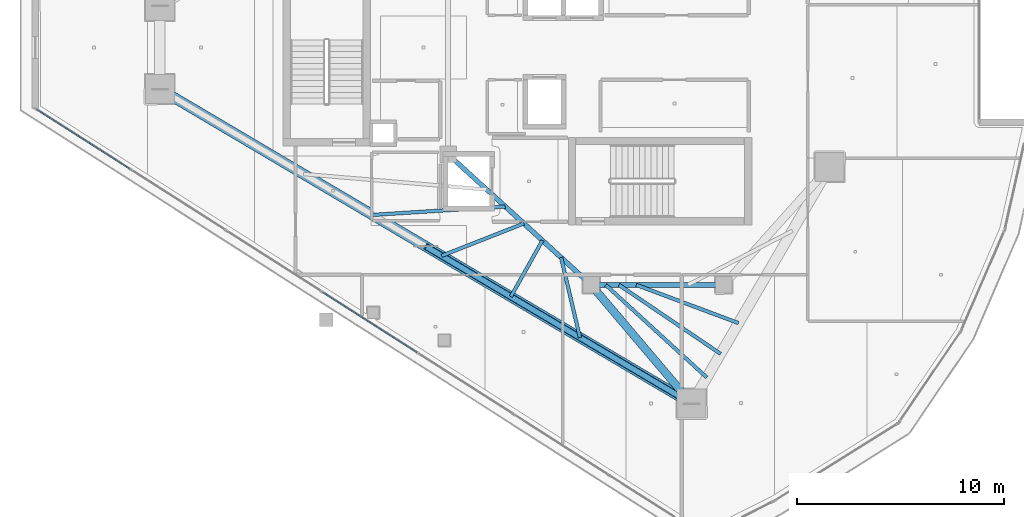
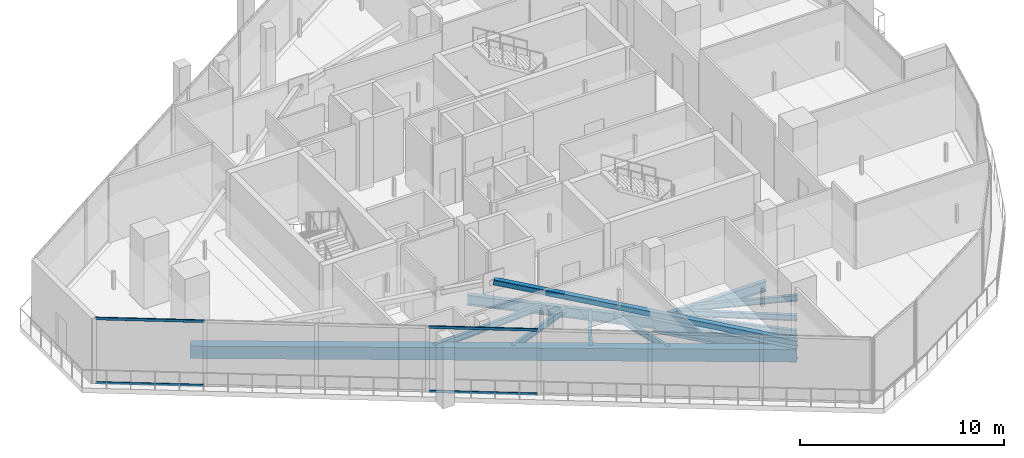
# One storey, part 4 of 30: 11 beams, 5 members, 1 element without a shape of its own.
"""IFC4 building model written with IfcOpenShell, lengths in metres."""

from ifc_helpers import new_model, si_unit, direction, frame, origin, origin_2d, place, context, subcontext, project, spatial, rectangle, hollow_rectangle, i_section, extrude, material, layer, layer_set, material_profile, profile_set, type_object, element, aggregate, save


model = new_model("IFC4")

# Units and contexts
model_context = context("Model", 3, precision=1e-05, world=origin(), true_north=direction((0.0, 1.0)))
body_context = subcontext(model_context, "Body", "Model", "MODEL_VIEW")
ifc_project = project(units=[si_unit("LENGTHUNIT", "METRE"), si_unit("AREAUNIT", "SQUARE_METRE"), si_unit("VOLUMEUNIT", "CUBIC_METRE"), si_unit("PLANEANGLEUNIT", "RADIAN"), si_unit("MASSUNIT", "GRAM", prefix="KILO")], contexts=[model_context])

# Site, building, storey
site_placement = place(None, origin())
site = spatial("IfcSite", under=ifc_project, at=site_placement, CompositionType="ELEMENT")
building_placement = place(site_placement, origin())
building = spatial("IfcBuilding", under=site, at=building_placement, Name="Qorvath Tower", CompositionType="ELEMENT")
storey_placement = place(building_placement, frame((0.0, 0.0, 289.199951171875)))
storey = spatial("IfcBuildingStorey", under=building, at=storey_placement, Name="L67", CompositionType="ELEMENT", Elevation=289.199951171875)

# Beams
ifc_material_1 = material(Name="Steel ASTM A992 Grade 50", Category="steel")
ifc_material_profile_1 = material_profile(ifc_material_1, i_section(OverallWidth=0.381103515625, OverallDepth=0.77294921875, WebThickness=0.0166015625, FlangeThickness=0.027099609375, FilletRadius=0.01904296875, at=origin_2d()), Name="W30x173")
ifc_profile_set_1 = profile_set([ifc_material_profile_1], Name="Steel ASTM A992 Grade 50")
beam_type_1 = type_object("IfcBeamType", Name="BM-FG3", PredefinedType="BEAM", material=ifc_profile_set_1)
beam_1_placement = place(storey_placement, frame((-23.60009765625, -11.449951171875, -0.676513671875), z_axis=(0.646321389876, -0.763065305848, 0.0), x_axis=(0.763065305848, 0.646321389876, 0.0)))
element("IfcBeam", 1, at=beam_1_placement, inside=storey, type_object=beam_type_1, Name="Radial Floor Girder CC4-MC3 L67", PredefinedType="BEAM", context=body_context, shape_type="SweptSolid", body=[
    extrude(i_section(OverallWidth=0.381103515625, OverallDepth=0.77294921875, WebThickness=0.0166015625, FlangeThickness=0.027099609375, FilletRadius=0.01904296875, at=origin_2d()), origin(), (0.0, 0.0, 1.0), 7.50341796875),
])
ifc_material_2 = material(Name="Steel ASTM A992 Grade 50", Category="steel")
ifc_material_profile_2 = material_profile(ifc_material_2, i_section(OverallWidth=0.22998046875, OverallDepth=0.616943359375, WebThickness=0.01318359375, FlangeThickness=0.022216796875, FilletRadius=0.014892578125, at=origin_2d()), Name="W24x94")
ifc_profile_set_2 = profile_set([ifc_material_profile_2], Name="Steel ASTM A992 Grade 50")
beam_type_2 = type_object("IfcBeamType", Name="BM-FG6", PredefinedType="BEAM", material=ifc_profile_set_2)
beam_2_placement = place(storey_placement, frame((-17.199951171875, -11.449951171875, -0.5986328125), z_axis=(-1.0, 0.0, 0.0), x_axis=(0.0, -1.0, 0.0)))
element("IfcBeam", 2, at=beam_2_placement, inside=storey, type_object=beam_type_2, Name="Core Ring Girder CC3-CC4 L67", PredefinedType="BEAM", context=body_context, shape_type="SweptSolid", body=[
    extrude(i_section(OverallWidth=0.22998046875, OverallDepth=0.616943359375, WebThickness=0.01318359375, FlangeThickness=0.022216796875, FilletRadius=0.014892578125, at=origin_2d()), origin(), (0.0, 0.0, 1.0), 6.400146484375),
])
beam_3_placement = place(storey_placement, frame((-23.60009765625, -11.449951171875, -0.5986328125), z_axis=(-0.73847813985, 0.6742774184, 0.0), x_axis=(-0.6742774184, -0.73847813985, 0.0)))
element("IfcBeam", 3, at=beam_3_placement, inside=storey, type_object=beam_type_2, Name="Core Ring Girder CC4-CC6 L67", PredefinedType="BEAM", context=body_context, shape_type="SweptSolid", body=[
    extrude(i_section(OverallWidth=0.22998046875, OverallDepth=0.616943359375, WebThickness=0.01318359375, FlangeThickness=0.022216796875, FilletRadius=0.014892578125, at=origin_2d()), origin(), (0.0, 0.0, 1.0), 9.343505859375),
])
ifc_material_3 = material(Name="Steel ASTM A992 Grade 50", Category="steel")
ifc_material_profile_3 = material_profile(ifc_material_3, i_section(OverallWidth=0.1708984375, OverallDepth=0.35107421875, WebThickness=0.0068359375, FlangeThickness=0.009765625, FilletRadius=0.010009765625, at=origin_2d()), Name="W14x30")
ifc_profile_set_3 = profile_set([ifc_material_profile_3], Name="Steel ASTM A992 Grade 50")
beam_type_3 = type_object("IfcBeamType", Name="BM-FJ4", PredefinedType="JOIST", material=ifc_profile_set_3)
beam_4_placement = place(storey_placement, frame((-21.424072265625, -11.449951171875, -0.465576171875), z_axis=(0.936775909139, -0.349929844478, 0.0), x_axis=(0.349929844478, 0.936775909139, 0.0)))
element("IfcBeam", 4, at=beam_4_placement, inside=storey, type_object=beam_type_3, Name="Composite Floor Joist SE5 L67", PredefinedType="JOIST", context=body_context, shape_type="SweptSolid", body=[
    extrude(i_section(OverallWidth=0.1708984375, OverallDepth=0.35107421875, WebThickness=0.0068359375, FlangeThickness=0.009765625, FilletRadius=0.010009765625, at=origin_2d()), origin(), (0.0, 0.0, 1.0), 5.268798828125),
])
beam_5_placement = place(storey_placement, frame((-22.256103515625, -11.449951171875, -0.465576171875), z_axis=(0.827400561462, -0.56161224247, 0.0), x_axis=(0.56161224247, 0.827400561462, 0.0)))
element("IfcBeam", 5, at=beam_5_placement, inside=storey, type_object=beam_type_3, Name="Composite Floor Joist SE6 L67", PredefinedType="JOIST", context=body_context, shape_type="SweptSolid", body=[
    extrude(i_section(OverallWidth=0.1708984375, OverallDepth=0.35107421875, WebThickness=0.0068359375, FlangeThickness=0.009765625, FilletRadius=0.010009765625, at=origin_2d()), origin(), (0.0, 0.0, 1.0), 5.925537109375),
])
beam_6_placement = place(storey_placement, frame((-22.89599609375, -11.449951171875, -0.465576171875), z_axis=(0.737232260457, -0.675639396528, 0.0), x_axis=(0.675639396528, 0.737232260457, 0.0)))
element("IfcBeam", 6, at=beam_6_placement, inside=storey, type_object=beam_type_3, Name="Composite Floor Joist SE7 L67", PredefinedType="JOIST", context=body_context, shape_type="SweptSolid", body=[
    extrude(i_section(OverallWidth=0.1708984375, OverallDepth=0.35107421875, WebThickness=0.0068359375, FlangeThickness=0.009765625, FilletRadius=0.010009765625, at=origin_2d()), origin(), (0.0, 0.0, 1.0), 6.615478515625),
])
beam_7_placement = place(storey_placement, frame((-27.739990234375, -7.669921875, -0.465576171875), z_axis=(-0.998006998641, -0.063103333222, 0.0), x_axis=(0.063103333222, -0.998006998641, 0.0)))
element("IfcBeam", 7, at=beam_7_placement, inside=storey, type_object=beam_type_3, Name="Composite Floor Joist SW3 L67", PredefinedType="JOIST", context=body_context, shape_type="SweptSolid", body=[
    extrude(i_section(OverallWidth=0.1708984375, OverallDepth=0.35107421875, WebThickness=0.0068359375, FlangeThickness=0.009765625, FilletRadius=0.010009765625, at=origin_2d()), origin(), (0.0, 0.0, 1.0), 6.41455078125),
])
beam_8_placement = place(storey_placement, frame((-26.843017578125, -8.489013671875, -0.465576171875), z_axis=(-0.930720832638, -0.365730408489, 0.0), x_axis=(0.365730408489, -0.930720832638, 0.0)))
element("IfcBeam", 8, at=beam_8_placement, inside=storey, type_object=beam_type_3, Name="Composite Floor Joist SW4 L67", PredefinedType="JOIST", context=body_context, shape_type="SweptSolid", body=[
    extrude(i_section(OverallWidth=0.1708984375, OverallDepth=0.35107421875, WebThickness=0.0068359375, FlangeThickness=0.009765625, FilletRadius=0.010009765625, at=origin_2d()), origin(), (0.0, 0.0, 1.0), 4.259033203125),
])
beam_9_placement = place(storey_placement, frame((-25.946044921875, -9.30810546875, -0.465576171875), z_axis=(-0.490626385489, -0.871370041866, 0.0), x_axis=(0.871370041866, -0.490626385489, 0.0)))
element("IfcBeam", 9, at=beam_9_placement, inside=storey, type_object=beam_type_3, Name="Composite Floor Joist SW5 L67", PredefinedType="JOIST", context=body_context, shape_type="SweptSolid", body=[
    extrude(i_section(OverallWidth=0.1708984375, OverallDepth=0.35107421875, WebThickness=0.0068359375, FlangeThickness=0.009765625, FilletRadius=0.010009765625, at=origin_2d()), origin(), (0.0, 0.0, 1.0), 3.110595703125),
])
beam_10_placement = place(storey_placement, frame((-25.049072265625, -10.126953125, -0.465576171875), z_axis=(0.22966321917, -0.973270160726, 0.0), x_axis=(0.973270160726, 0.22966321917, 0.0)))
element("IfcBeam", 10, at=beam_10_placement, inside=storey, type_object=beam_type_3, Name="Composite Floor Joist SW6 L67", PredefinedType="JOIST", context=body_context, shape_type="SweptSolid", body=[
    extrude(i_section(OverallWidth=0.1708984375, OverallDepth=0.35107421875, WebThickness=0.0068359375, FlangeThickness=0.009765625, FilletRadius=0.010009765625, at=origin_2d()), origin(), (0.0, 0.0, 1.0), 3.969482421875),
])
ifc_material_4 = material(Name="Concrete C45/55", Category="concrete")
ifc_material_profile_4 = material_profile(ifc_material_4, rectangle(XDim=0.5, YDim=0.75, at=origin_2d()), Name="RCB 750x500")
ifc_profile_set_4 = profile_set([ifc_material_profile_4], Name="Concrete C45/55")
beam_type_4 = type_object("IfcBeamType", Name="BM-RCB3", PredefinedType="SPANDREL", material=ifc_profile_set_4)
beam_11_placement = place(storey_placement, frame((-44.402587890625, -2.007568359375, -0.6650390625), z_axis=(0.860780849348, -0.508975765038, 0.0), x_axis=(0.508975765038, 0.860780849348, 0.0)))
element("IfcBeam", 11, at=beam_11_placement, inside=storey, type_object=beam_type_4, Name="Perimeter Loggia Frame Beam MC2-MC3 L67", PredefinedType="SPANDREL", context=body_context, shape_type="SweptSolid", body=[
    extrude(rectangle(XDim=0.5, YDim=0.75, at=origin_2d()), origin(), (0.0, 0.0, 1.0), 29.801025390625),
])

# Curtain wall, members
ifc_material_5 = material(Name="Anodised aluminium and triple low-E glass", Category="aluminium")
ifc_layer = layer(ifc_material_5, 0.179931640625)
ifc_layer_set = layer_set([ifc_layer], Name="CW-SYS-5")
curtain_wall_type = type_object("IfcCurtainWallType", Name="CW-SYS-5", PredefinedType="NOTDEFINED", material=ifc_layer_set)
curtain_wall_placement = place(storey_placement, origin())
curtain_wall = element("IfcCurtainWall", 12, at=curtain_wall_placement, inside=storey, type_object=curtain_wall_type, Name="Curtain Wall CW-5 CW-T-L67-2.1", PredefinedType="NOTDEFINED")
ifc_material_6 = material(Name="Anodised aluminium 6063-T6", Category="aluminium")
ifc_material_profile_5 = material_profile(ifc_material_6, hollow_rectangle(XDim=0.06494140625, YDim=0.159912109375, WallThickness=0.00341796875, InnerFilletRadius=0.00341796875, OuterFilletRadius=0.007080078125, at=origin_2d()), Name="CWT 160x65")
ifc_profile_set_5 = profile_set([ifc_material_profile_5], Name="Anodised aluminium 6063-T6")
member_type_1 = type_object("IfcMemberType", Name="CWT-160", PredefinedType="USERDEFINED", material=ifc_profile_set_5)
member_1_placement = place(storey_placement, frame((-50.343505859375, -2.986083984375, 0.032470703125), z_axis=(0.842601479632, -0.538537599914, 0.0), x_axis=(0.538537599914, 0.842601479632, 0.0)))
member_1 = element("IfcMember", 13, at=member_1_placement, type_object=member_type_1, Name="CW-5 transom 1.1", ObjectType="TRANSOM", PredefinedType="USERDEFINED", context=body_context, shape_type="SweptSolid", body=[
    extrude(hollow_rectangle(XDim=0.06494140625, YDim=0.159912109375, WallThickness=0.00341796875, InnerFilletRadius=0.00341796875, OuterFilletRadius=0.007080078125, at=origin_2d()), origin(), (0.0, 0.0, 1.0), 5.357177734375),
])
member_2_placement = place(storey_placement, frame((-50.343505859375, -2.986083984375, 3.877685546875), z_axis=(0.842601479632, -0.538537599914, 0.0), x_axis=(0.538537599914, 0.842601479632, 0.0)))
member_2 = element("IfcMember", 14, at=member_2_placement, type_object=member_type_1, Name="CW-5 transom 1.2", ObjectType="TRANSOM", PredefinedType="USERDEFINED", context=body_context, shape_type="SweptSolid", body=[
    extrude(hollow_rectangle(XDim=0.06494140625, YDim=0.159912109375, WallThickness=0.00341796875, InnerFilletRadius=0.00341796875, OuterFilletRadius=0.007080078125, at=origin_2d()), origin(), (0.0, 0.0, 1.0), 5.357177734375),
])
member_3_placement = place(storey_placement, frame((-36.548583984375, -11.802734375, 0.032470703125), z_axis=(0.842603282272, -0.538534779475, 0.0), x_axis=(0.538534779475, 0.842603282272, 0.0)))
member_3 = element("IfcMember", 15, at=member_3_placement, type_object=member_type_1, Name="CW-5 transom 4.1", ObjectType="TRANSOM", PredefinedType="USERDEFINED", context=body_context, shape_type="SweptSolid", body=[
    extrude(hollow_rectangle(XDim=0.06494140625, YDim=0.159912109375, WallThickness=0.00341796875, InnerFilletRadius=0.00341796875, OuterFilletRadius=0.007080078125, at=origin_2d()), origin(), (0.0, 0.0, 1.0), 5.394775390625),
])
member_4_placement = place(storey_placement, frame((-36.548583984375, -11.802734375, 3.877685546875), z_axis=(0.842603282272, -0.538534779475, 0.0), x_axis=(0.538534779475, 0.842603282272, 0.0)))
member_4 = element("IfcMember", 16, at=member_4_placement, type_object=member_type_1, Name="CW-5 transom 4.2", ObjectType="TRANSOM", PredefinedType="USERDEFINED", context=body_context, shape_type="SweptSolid", body=[
    extrude(hollow_rectangle(XDim=0.06494140625, YDim=0.159912109375, WallThickness=0.00341796875, InnerFilletRadius=0.00341796875, OuterFilletRadius=0.007080078125, at=origin_2d()), origin(), (0.0, 0.0, 1.0), 5.394775390625),
])
aggregate(curtain_wall, [member_1, member_2, member_3, member_4])

# Member
ifc_material_7 = material(Name="Steel ASTM A500 Grade C", Category="steel")
ifc_material_profile_6 = material_profile(ifc_material_7, hollow_rectangle(XDim=0.3046875, YDim=0.3046875, WallThickness=0.0126953125, InnerFilletRadius=0.0126953125, OuterFilletRadius=0.025390625, at=origin_2d()), Name="HSS 305x305x12.7")
ifc_profile_set_6 = profile_set([ifc_material_profile_6], Name="Steel ASTM A500 Grade C")
member_type_2 = type_object("IfcMemberType", Name="MEM-MB3", PredefinedType="BRACE", material=ifc_profile_set_6)
member_5_placement = place(storey_placement, frame((-18.75048828125, -17.175537109375, 0.0), z_axis=(-0.837219052796, 0.495039071419, 0.232380238843), x_axis=(-0.508972175844, -0.860782971612, 0.0)))
element("IfcMember", 17, at=member_5_placement, inside=storey, type_object=member_type_2, Name="Perimeter Chevron Brace L67-2B", PredefinedType="BRACE", context=body_context, shape_type="SweptSolid", body=[
    extrude(hollow_rectangle(XDim=0.3046875, YDim=0.3046875, WallThickness=0.0126953125, InnerFilletRadius=0.0126953125, OuterFilletRadius=0.025390625, at=origin_2d()), origin(), (0.0, 0.0, 1.0), 15.320068359375),
])

save(model, "model.ifc")
